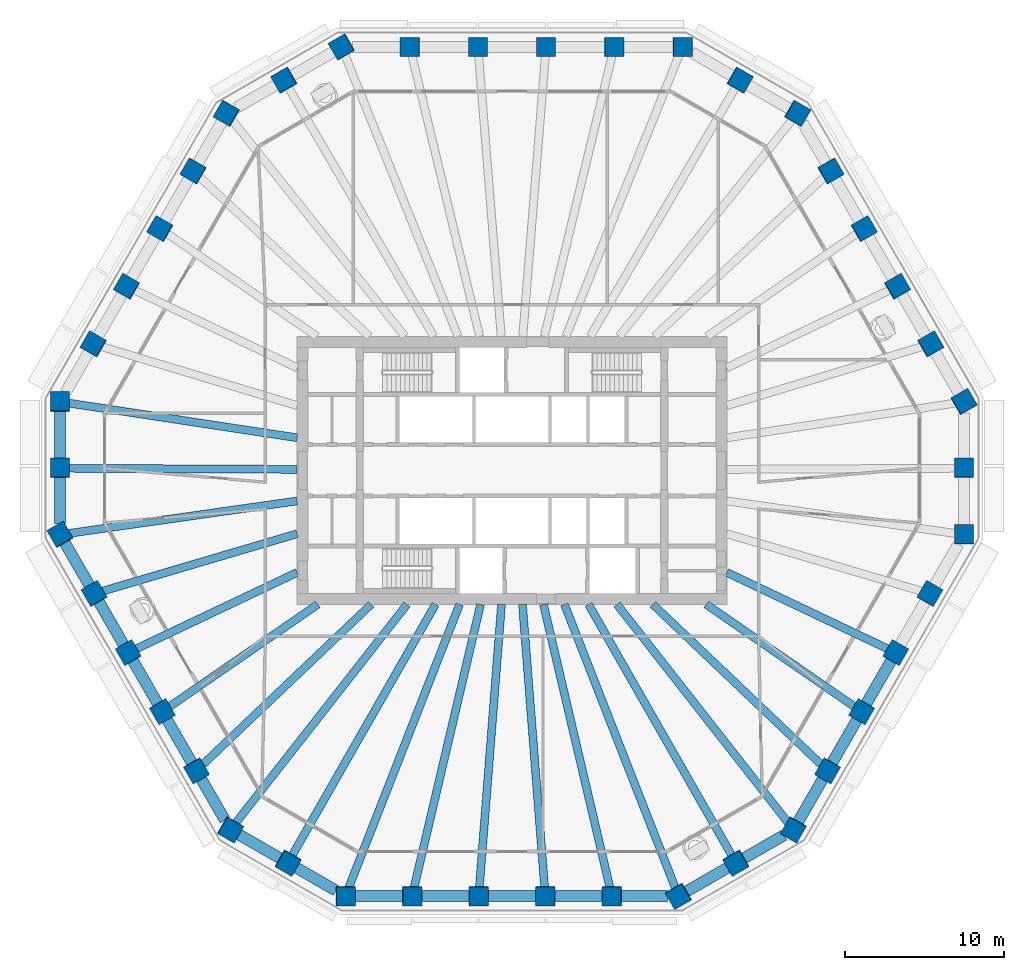
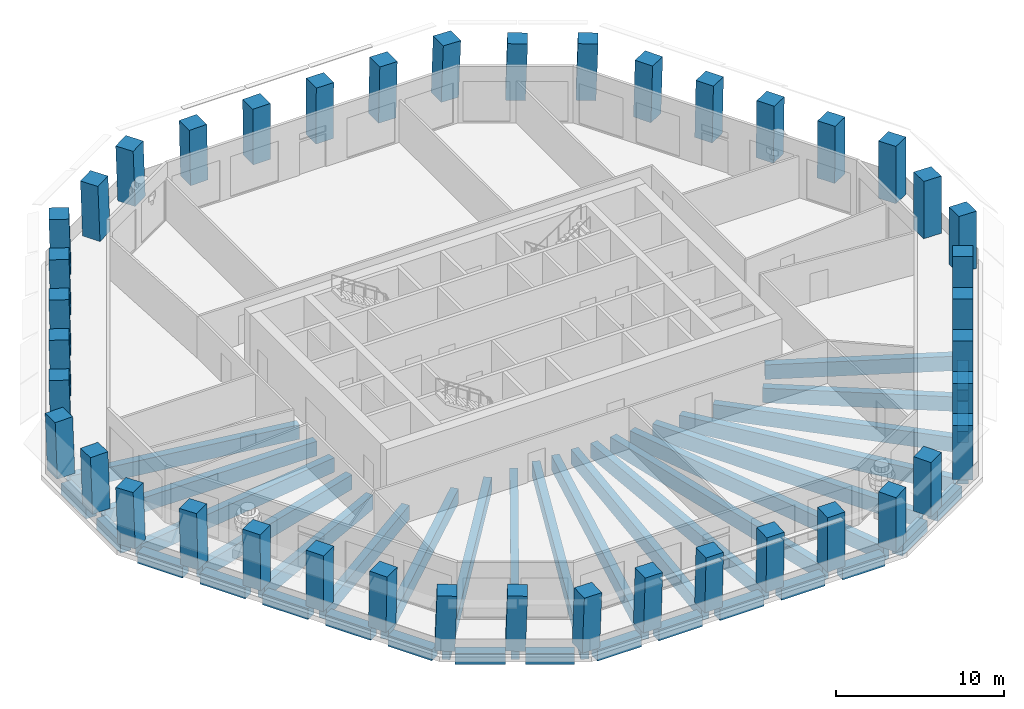
# One storey, part 1 of 12: 42 columns, 39 beams.
"""IFC4 building model written with IfcOpenShell, lengths in metres."""

import ifcopenshell
import ifcopenshell.guid

model = None  # the IFC model being written
_history = None  # IfcOwnerHistory: only IFC2X3 demands one
_inside = {}  # id of a spatial element -> (the spatial element, [elements in it])
_under = {}  # id of a project, library or spatial element -> (it, [spatial elements below it])
_declared = {}  # id of a project -> (the project, [libraries it declares])
_typed = {}  # id of a type object -> (the type object, [elements of that type])
_made_of = {}  # id of a material, layer set ... -> (it, [elements and type objects made of it])


def new_model(schema):
    """Start an empty IFC model of exactly this schema.

    Asked for "IFC4X3", IfcOpenShell would pick the latest addendum, in which some entities
    have other attributes; the version numbers below select the first issue.
    IFC2X3 requires an IfcOwnerHistory on every rooted entity: one is made here for all.
    """
    global model, _history
    if schema == "IFC4X3":
        model = ifcopenshell.file(schema_version=(4, 3, 0, 0))
    else:
        model = ifcopenshell.file(schema=schema)
    _inside.clear()
    _under.clear()
    _declared.clear()
    _typed.clear()
    _made_of.clear()
    _history = None
    if model.schema == "IFC2X3":
        org = make("IfcOrganization", Name="unknown")
        user = make(
            "IfcPersonAndOrganization",
            ThePerson=make("IfcPerson", FamilyName="unknown"),
            TheOrganization=org,
        )
        app = make(
            "IfcApplication",
            ApplicationDeveloper=org,
            Version="unknown",
            ApplicationFullName="unknown",
            ApplicationIdentifier="unknown",
        )
        _history = make(
            "IfcOwnerHistory",
            OwningUser=user,
            OwningApplication=app,
            ChangeAction="ADDED",
            CreationDate=0,
        )
    return model


def make(cls, **values):
    """One entity of the class cls with the attributes given. An attribute that is None is left unset."""
    return model.create_entity(
        cls, **{name: value for name, value in values.items() if value is not None}
    )


def rooted(cls, **values):
    """An entity with a GlobalId (a new one), such as an element, a storey or a relation."""
    return make(cls, GlobalId=ifcopenshell.guid.new(), OwnerHistory=_history, **values)


def si_unit(unit_type, name, prefix=None):
    """IfcSIUnit, for example si_unit("LENGTHUNIT", "METRE", prefix="MILLI")."""
    return make("IfcSIUnit", UnitType=unit_type, Prefix=prefix, Name=name)


def assignment(units):
    """IfcUnitAssignment: the units of a project."""
    return None if units is None else make("IfcUnitAssignment", Units=units)


def point(xyz):
    """IfcCartesianPoint."""
    return None if xyz is None else make("IfcCartesianPoint", Coordinates=xyz)


def direction(xyz):
    """IfcDirection."""
    return None if xyz is None else make("IfcDirection", DirectionRatios=xyz)


def frame(location, z_axis=None, x_axis=None):
    """IfcAxis2Placement3D, a coordinate frame: its origin and axes. An axis left out is left unset."""
    return make(
        "IfcAxis2Placement3D",
        Location=point(location),
        Axis=direction(z_axis),
        RefDirection=direction(x_axis),
    )


def frame_2d(location, x_axis=None):
    """IfcAxis2Placement2D, a coordinate frame in the plane: its origin and x axis."""
    return make(
        "IfcAxis2Placement2D", Location=point(location), RefDirection=direction(x_axis)
    )


def origin():
    """The frame at (0, 0, 0) with its axes left unset."""
    return frame((0.0, 0.0, 0.0))


def origin_2d():
    """The frame at (0, 0) in the plane with its x axis left unset."""
    return frame_2d((0.0, 0.0))


def place(relative_to, where):
    """IfcLocalPlacement: puts the frame where relative to a parent placement (None: the world)."""
    return make(
        "IfcLocalPlacement", PlacementRelTo=relative_to, RelativePlacement=where
    )


def context(
    kind, dimensions, precision=None, world=None, true_north=None, identifier=None
):
    """IfcGeometricRepresentationContext, for example the 3D "Model" context."""
    return make(
        "IfcGeometricRepresentationContext",
        ContextIdentifier=identifier,
        ContextType=kind,
        CoordinateSpaceDimension=dimensions,
        Precision=precision,
        WorldCoordinateSystem=world,
        TrueNorth=true_north,
    )


def subcontext(parent, identifier, kind, view, scale=None):
    """IfcGeometricRepresentationSubContext, for example "Body" below "Model"."""
    return make(
        "IfcGeometricRepresentationSubContext",
        ContextIdentifier=identifier,
        ContextType=kind,
        ParentContext=parent,
        TargetScale=scale,
        TargetView=view,
    )


def project(units=None, contexts=None):
    """IfcProject with its units and contexts."""
    return rooted(
        "IfcProject",
        Name="project",
        RepresentationContexts=contexts,
        UnitsInContext=assignment(units),
    )


def spatial(cls, under=None, at=None, **own):
    """A site, building, storey or space (cls), placed at a placement, below another one or the project."""
    s = rooted(cls, ObjectPlacement=at, **own)
    if under is not None:
        _under.setdefault(under.id(), (under, []))[1].append(s)
    return s


def profile(cls, at=None, kind="AREA", **sizes):
    """A parametric profile (cls). Its sizes go by their IFC names, for example OverallWidth=200.0."""
    return make(cls, ProfileType=kind, Position=at, **sizes)


def rectangle(**sizes):
    """IfcRectangleProfileDef."""
    return profile("IfcRectangleProfileDef", **sizes)


def extrude(swept, where, along, depth):
    """IfcExtrudedAreaSolid: the profile swept, set in the frame where, extruded along a direction by depth."""
    return make(
        "IfcExtrudedAreaSolid",
        SweptArea=swept,
        Position=where,
        ExtrudedDirection=direction(along),
        Depth=depth,
    )


def shape(context_of_items, identifier, shape_type, items):
    """IfcShapeRepresentation: the items that make up one representation, for example the "Body"."""
    return make(
        "IfcShapeRepresentation",
        ContextOfItems=context_of_items,
        RepresentationIdentifier=identifier,
        RepresentationType=shape_type,
        Items=items,
    )


def material(Name=None, Category=None):
    """IfcMaterial."""
    return make("IfcMaterial", Name=Name, Category=Category)


def material_profile(
    of_material, cross_section, Name=None, Category=None, Priority=None
):
    """IfcMaterialProfile: a cross section and its material."""
    return make(
        "IfcMaterialProfile",
        Name=Name,
        Material=of_material,
        Profile=cross_section,
        Priority=Priority,
        Category=Category,
    )


def profile_set(profiles, Name=None, composite=None):
    """IfcMaterialProfileSet."""
    return make(
        "IfcMaterialProfileSet",
        Name=Name,
        MaterialProfiles=profiles,
        CompositeProfile=composite,
    )


def made_of(thing, what):
    """Note that an element or type object is made of a material, layer set ...; save() writes the relation."""
    if what is not None:
        _made_of.setdefault(what.id(), (what, []))[1].append(thing)
    return thing


def type_object(cls, material=None, **own):
    """A type object (cls), such as IfcWallType, which elements share."""
    return made_of(rooted(cls, **own), material)


def element(
    cls,
    number,
    at=None,
    inside=None,
    cuts=None,
    type_object=None,
    material=None,
    context=None,
    identifier="Body",
    shape_type=None,
    held_by="IfcProductDefinitionShape",
    body=None,
    shapes=None,
    **own,
):
    """One element of the class cls, such as IfcWall. Its Tag is "e" and its number.

    at: its placement. inside: the storey or other place that contains it. cuts: it is an
    opening in that element (IfcRelVoidsElement). A single representation is given by context,
    identifier, shape_type and body (its items); several are given by shapes. held_by: the class
    of the entity that holds the representations. save() writes the other relations.
    """
    e = rooted(cls, Tag="e%d" % number, ObjectPlacement=at, **own)
    if body is not None:
        shapes = [shape(context, identifier, shape_type, body)]
    if shapes is not None:
        e.Representation = make(held_by, Representations=shapes)
    if inside is not None:
        _inside.setdefault(inside.id(), (inside, []))[1].append(e)
    if cuts is not None:
        rooted(
            "IfcRelVoidsElement", RelatingBuildingElement=cuts, RelatedOpeningElement=e
        )
    if type_object is not None:
        _typed.setdefault(type_object.id(), (type_object, []))[1].append(e)
    return made_of(e, material)


def aggregate(whole, parts):
    """IfcRelAggregates: a whole, such as a stair, and the parts it consists of."""
    return rooted("IfcRelAggregates", RelatingObject=whole, RelatedObjects=parts)


def save(model, path):
    """Write the relations noted so far, then the file.

    IfcRelAggregates (storeys below a building ...), IfcRelContainedInSpatialStructure (elements
    in a storey), IfcRelDefinesByType, IfcRelAssociatesMaterial and IfcRelDeclares: one each for
    every whole, place, type object, material and project.
    """
    for whole, parts in _under.values():
        aggregate(whole, parts)
    for where, things in _inside.values():
        rooted(
            "IfcRelContainedInSpatialStructure",
            RelatedElements=things,
            RelatingStructure=where,
        )
    for kind, things in _typed.values():
        rooted("IfcRelDefinesByType", RelatedObjects=things, RelatingType=kind)
    for what, things in _made_of.values():
        rooted("IfcRelAssociatesMaterial", RelatedObjects=things, RelatingMaterial=what)
    for by, libraries in _declared.values():
        rooted("IfcRelDeclares", RelatingContext=by, RelatedDefinitions=libraries)
    model.write(path)


model = new_model("IFC4")

# Units and contexts
model_context = context("Model", 3, precision=1e-05, world=origin(), true_north=direction((0.0, 1.0)))
body_context = subcontext(model_context, "Body", "Model", "MODEL_VIEW")
ifc_project = project(units=[si_unit("LENGTHUNIT", "METRE"), si_unit("AREAUNIT", "SQUARE_METRE"), si_unit("VOLUMEUNIT", "CUBIC_METRE"), si_unit("PLANEANGLEUNIT", "RADIAN"), si_unit("MASSUNIT", "GRAM", prefix="KILO")], contexts=[model_context])

# Site, building, storey
site_placement = place(None, origin())
site = spatial("IfcSite", under=ifc_project, at=site_placement, CompositionType="ELEMENT")
building_placement = place(site_placement, origin())
building = spatial("IfcBuilding", under=site, at=building_placement, Name="Frailejon Research Tower", CompositionType="ELEMENT")
storey_placement = place(building_placement, frame((0.0, 0.0, 149.60009765625)))
storey = spatial("IfcBuildingStorey", under=building, at=storey_placement, Name="L32", CompositionType="ELEMENT", Elevation=149.60009765625)

# Columns
ifc_material_1 = material(Name="Concrete C60/75", Category="concrete")
ifc_material_profile_1 = material_profile(ifc_material_1, rectangle(XDim=1.199951171875, YDim=1.199951171875, at=origin_2d()), Name="Column 1200")
ifc_profile_set_1 = profile_set([ifc_material_profile_1], Name="Concrete C60/75")
column_type = type_object("IfcColumnType", Name="Column 1200", PredefinedType="COLUMN", material=ifc_profile_set_1)
for number, where, z_axis, x_axis, name in (
    (1, (28.49267578125, -4.04931640625, 0.0), (0.018133721723, 0.031387604711, 0.999342777233), (-0.000565018224, 0.999507287743, -0.031382519076), "Column C01"),
    (2, (28.49267578125, 0.13818359375, 0.0), (0.018133687401, 0.03144779011, 0.999340885723), (-0.001395627248, 0.999505055609, -0.031427631735), "Column C02"),
    (3, (28.49267578125, 4.32568359375, 0.0), (0.018133687401, 0.03144779011, 0.999340885723), (-0.501125947213, 0.865184365108, -0.01813282665), "Column C03"),
):
    element("IfcColumn", number, at=place(storey_placement, frame(where, z_axis=z_axis, x_axis=x_axis)), inside=storey, type_object=column_type, Name=name, PredefinedType="COLUMN", context=body_context, shape_type="SweptSolid", body=[
        extrude(rectangle(XDim=1.199951171875, YDim=1.199951171875, at=origin_2d()), origin(), (0.0, 0.0, 1.0), 4.052490234375),
    ])
column_1_placement = place(storey_placement, frame((26.392578125, 7.963134765625, 0.0), z_axis=(0.021750699922, 0.025124769716, 0.999447673968), x_axis=(-0.500502376835, 0.865666925982, -0.010869408614)))
element("IfcColumn", 4, at=column_1_placement, inside=storey, type_object=column_type, Name="Column C04", PredefinedType="COLUMN", context=body_context, shape_type="SweptSolid", body=[
    extrude(rectangle(XDim=1.199951171875, YDim=1.199951171875, at=origin_2d()), origin(), (0.0, 0.0, 1.0), 4.052001953125),
])
for number, where, z_axis, x_axis, name in (
    (5, (24.29248046875, 11.6005859375, 0.0), (0.025427354368, 0.018799371002, 0.999499891596), (-0.498882632213, 0.866662040623, -0.003609240769), "Column C05"),
    (6, (22.192626953125, 15.23779296875, 0.0), (0.029042587602, 0.012593155205, 0.999498844695), (-0.500555199486, 0.8656969803, 0.003637384692), "Column C06"),
):
    element("IfcColumn", number, at=place(storey_placement, frame(where, z_axis=z_axis, x_axis=x_axis)), inside=storey, type_object=column_type, Name=name, PredefinedType="COLUMN", context=body_context, shape_type="SweptSolid", body=[
        extrude(rectangle(XDim=1.199951171875, YDim=1.199951171875, at=origin_2d()), origin(), (0.0, 0.0, 1.0), 4.0517578125),
    ])
column_2_placement = place(storey_placement, frame((20.092529296875, 18.875, 0.0), z_axis=(0.032656141186, 0.006326374215, 0.999446623603), x_axis=(-0.500478610306, 0.865680620308, 0.01087309752)))
element("IfcColumn", 7, at=column_2_placement, inside=storey, type_object=column_type, Name="Column C07", PredefinedType="COLUMN", context=body_context, shape_type="SweptSolid", body=[
    extrude(rectangle(XDim=1.199951171875, YDim=1.199951171875, at=origin_2d()), origin(), (0.0, 0.0, 1.0), 4.052001953125),
])
for number, where, z_axis, x_axis, name in (
    (8, (17.99267578125, 22.512451171875, 0.0), (0.036267419622, 0.0, 0.999342120734), (-0.865313477853, 0.500246354177, 0.031403346616), "Column C08"),
    (9, (14.3662109375, 24.606201171875, 0.0), (0.036207253783, 0.0, 0.999344302417), (-0.865315366935, 0.500246354177, 0.031351250032), "Column C09"),
    (10, (10.739501953125, 26.699951171875, 0.0), (0.036267419622, 0.0, 0.999342120734), (-0.999342120734, 0.0, 0.036267419622), "Column C10"),
):
    element("IfcColumn", number, at=place(storey_placement, frame(where, z_axis=z_axis, x_axis=x_axis)), inside=storey, type_object=column_type, Name=name, PredefinedType="COLUMN", context=body_context, shape_type="SweptSolid", body=[
        extrude(rectangle(XDim=1.199951171875, YDim=1.199951171875, at=origin_2d()), origin(), (0.0, 0.0, 1.0), 4.052490234375),
    ])
column_3_placement = place(storey_placement, frame((6.443603515625, 26.699951171875, 0.0), z_axis=(0.021817809905, 0.0, 0.999761963255), x_axis=(-0.999761963255, 0.0, 0.021817809905)))
element("IfcColumn", 11, at=column_3_placement, inside=storey, type_object=column_type, Name="Column C11", PredefinedType="COLUMN", context=body_context, shape_type="SweptSolid", body=[
    extrude(rectangle(XDim=1.199951171875, YDim=1.199951171875, at=origin_2d()), origin(), (0.0, 0.0, 1.0), 4.05078125),
])
for number, where, z_axis, x_axis, name in (
    (12, (2.14794921875, 26.699951171875, 0.0), (0.007233955881, 0.0, 0.999973834599), (-0.999973834599, 0.0, 0.007233955881), "Column C12"),
    (13, (-2.14794921875, 26.699951171875, 0.0), (-0.007233955881, 0.0, 0.999973834599), (-0.999973834599, 0.0, -0.007233955881), "Column C13"),
):
    element("IfcColumn", number, at=place(storey_placement, frame(where, z_axis=z_axis, x_axis=x_axis)), inside=storey, type_object=column_type, Name=name, PredefinedType="COLUMN", context=body_context, shape_type="SweptSolid", body=[
        extrude(rectangle(XDim=1.199951171875, YDim=1.199951171875, at=origin_2d()), origin(), (0.0, 0.0, 1.0), 4.0498046875),
    ])
column_4_placement = place(storey_placement, frame((-6.443603515625, 26.699951171875, 0.0), z_axis=(-0.021817809905, 0.0, 0.999761963255), x_axis=(-0.999761963255, 0.0, -0.021817809905)))
element("IfcColumn", 14, at=column_4_placement, inside=storey, type_object=column_type, Name="Column C14", PredefinedType="COLUMN", context=body_context, shape_type="SweptSolid", body=[
    extrude(rectangle(XDim=1.199951171875, YDim=1.199951171875, at=origin_2d()), origin(), (0.0, 0.0, 1.0), 4.05078125),
])
for number, where, z_axis, x_axis, name in (
    (15, (-10.739501953125, 26.699951171875, 0.0), (-0.036267419622, 0.0, 0.999342120734), (-0.865313477853, -0.500246354177, -0.031403346616), "Column C15"),
    (16, (-14.3662109375, 24.606201171875, 0.0), (-0.036207253783, 0.0, 0.999344302417), (-0.865315366935, -0.500246354177, -0.031351250032), "Column C16"),
    (17, (-17.99267578125, 22.512451171875, 0.0), (-0.036267419622, 0.0, 0.999342120734), (-0.499424827821, -0.866167613071, -0.018124773713), "Column C17"),
):
    element("IfcColumn", number, at=place(storey_placement, frame(where, z_axis=z_axis, x_axis=x_axis)), inside=storey, type_object=column_type, Name=name, PredefinedType="COLUMN", context=body_context, shape_type="SweptSolid", body=[
        extrude(rectangle(XDim=1.199951171875, YDim=1.199951171875, at=origin_2d()), origin(), (0.0, 0.0, 1.0), 4.052490234375),
    ])
column_5_placement = place(storey_placement, frame((-20.092529296875, 18.875, 0.0), z_axis=(-0.032656141186, 0.006326374215, 0.999446623603), x_axis=(-0.500478610306, -0.865680620308, -0.01087309752)))
element("IfcColumn", 18, at=column_5_placement, inside=storey, type_object=column_type, Name="Column C18", PredefinedType="COLUMN", context=body_context, shape_type="SweptSolid", body=[
    extrude(rectangle(XDim=1.199951171875, YDim=1.199951171875, at=origin_2d()), origin(), (0.0, 0.0, 1.0), 4.052001953125),
])
for number, where, z_axis, x_axis, name in (
    (19, (-22.192626953125, 15.23779296875, 0.0), (-0.029042587602, 0.012593155205, 0.999498844695), (-0.500555199486, -0.8656969803, -0.003637384692), "Column C19"),
    (20, (-24.29248046875, 11.6005859375, 0.0), (-0.025427354368, 0.018799371002, 0.999499891596), (-0.498882632213, -0.866662040623, 0.003609240769), "Column C20"),
):
    element("IfcColumn", number, at=place(storey_placement, frame(where, z_axis=z_axis, x_axis=x_axis)), inside=storey, type_object=column_type, Name=name, PredefinedType="COLUMN", context=body_context, shape_type="SweptSolid", body=[
        extrude(rectangle(XDim=1.199951171875, YDim=1.199951171875, at=origin_2d()), origin(), (0.0, 0.0, 1.0), 4.0517578125),
    ])
column_6_placement = place(storey_placement, frame((-26.392578125, 7.963134765625, 0.0), z_axis=(-0.021750699922, 0.025124769716, 0.999447673968), x_axis=(-0.500502376835, -0.865666925982, 0.010869408614)))
element("IfcColumn", 21, at=column_6_placement, inside=storey, type_object=column_type, Name="Column C21", PredefinedType="COLUMN", context=body_context, shape_type="SweptSolid", body=[
    extrude(rectangle(XDim=1.199951171875, YDim=1.199951171875, at=origin_2d()), origin(), (0.0, 0.0, 1.0), 4.052001953125),
])
for number, where, z_axis, x_axis, name in (
    (22, (-28.49267578125, 4.32568359375, 0.0), (-0.018133687401, 0.03144779011, 0.999340885723), (-0.001395627248, -0.999505055609, 0.031427631735), "Column C22"),
    (23, (-28.49267578125, 0.13818359375, 0.0), (-0.018133687401, 0.03144779011, 0.999340885723), (-0.001395627248, -0.999505055609, 0.031427631735), "Column C23"),
    (24, (-28.49267578125, -4.04931640625, 0.0), (-0.018133721723, 0.031387604711, 0.999342777233), (0.499674779335, -0.865454274592, 0.036249323948), "Column C24"),
):
    element("IfcColumn", number, at=place(storey_placement, frame(where, z_axis=z_axis, x_axis=x_axis)), inside=storey, type_object=column_type, Name=name, PredefinedType="COLUMN", context=body_context, shape_type="SweptSolid", body=[
        extrude(rectangle(XDim=1.199951171875, YDim=1.199951171875, at=origin_2d()), origin(), (0.0, 0.0, 1.0), 4.052490234375),
    ])
column_7_placement = place(storey_placement, frame((-26.3447265625, -7.76953125, 0.0), z_axis=(-0.010908911174, 0.018864581201, 0.999762533421), x_axis=(0.500638363085, -0.865382200335, 0.021791667014)))
element("IfcColumn", 25, at=column_7_placement, inside=storey, type_object=column_type, Name="Column C25", PredefinedType="COLUMN", context=body_context, shape_type="SweptSolid", body=[
    extrude(rectangle(XDim=1.199951171875, YDim=1.199951171875, at=origin_2d()), origin(), (0.0, 0.0, 1.0), 4.05078125),
])
for number, where, z_axis, x_axis, name in (
    (26, (-24.19677734375, -11.489990234375, 0.0), (-0.003616976462, 0.006329708808, 0.999973425781), (0.495951476292, -0.868319633219, 0.007290248979), "Column C26"),
    (27, (-22.048828125, -15.210205078125, 0.0), (0.003616977835, -0.006269428248, 0.999973805527), (0.50188323525, -0.864905098983, -0.007237950591), "Column C27"),
):
    element("IfcColumn", number, at=place(storey_placement, frame(where, z_axis=z_axis, x_axis=x_axis)), inside=storey, type_object=column_type, Name=name, PredefinedType="COLUMN", context=body_context, shape_type="SweptSolid", body=[
        extrude(rectangle(XDim=1.199951171875, YDim=1.199951171875, at=origin_2d()), origin(), (0.0, 0.0, 1.0), 4.0498046875),
    ])
column_8_placement = place(storey_placement, frame((-19.90087890625, -18.930419921875, 0.0), z_axis=(0.010848648059, -0.01886459357, 0.999763188933), x_axis=(0.498562444949, -0.866580592009, -0.021761572546)))
element("IfcColumn", 28, at=column_8_placement, inside=storey, type_object=column_type, Name="Column C28", PredefinedType="COLUMN", context=body_context, shape_type="SweptSolid", body=[
    extrude(rectangle(XDim=1.199951171875, YDim=1.199951171875, at=origin_2d()), origin(), (0.0, 0.0, 1.0), 4.05078125),
])
for number, where, z_axis, x_axis, name in (
    (29, (-17.753173828125, -22.650634765625, 0.0), (0.018133687401, -0.03144779011, 0.999340885723), (0.865740951417, -0.499504633719, -0.031428107377), "Column C29"),
    (30, (-14.126708984375, -24.744384765625, 0.0), (0.0181939123, -0.031447755698, 0.999339792171), (0.866186176225, -0.498729910152, -0.031464024495), "Column C30"),
    (31, (-10.5, -26.83837890625, 0.0), (0.018133721723, -0.031387604711, 0.999342777233), (0.999835421154, 0.001115661703, -0.018107620088), "Column C31"),
):
    element("IfcColumn", number, at=place(storey_placement, frame(where, z_axis=z_axis, x_axis=x_axis)), inside=storey, type_object=column_type, Name=name, PredefinedType="COLUMN", context=body_context, shape_type="SweptSolid", body=[
        extrude(rectangle(XDim=1.199951171875, YDim=1.199951171875, at=origin_2d()), origin(), (0.0, 0.0, 1.0), 4.052490234375),
    ])
column_9_placement = place(storey_placement, frame((-6.300048828125, -26.83837890625, 0.0), z_axis=(0.010905475742, -0.031390899789, 0.999447688481), x_axis=(0.999940086659, 0.001287295827, -0.010870416841)))
element("IfcColumn", 32, at=column_9_placement, inside=storey, type_object=column_type, Name="Column C32", PredefinedType="COLUMN", context=body_context, shape_type="SweptSolid", body=[
    extrude(rectangle(XDim=1.199951171875, YDim=1.199951171875, at=origin_2d()), origin(), (0.0, 0.0, 1.0), 4.052001953125),
])
for number, where, z_axis, x_axis, name in (
    (33, (-2.10009765625, -26.83837890625, 0.0), (0.003675519823, -0.031392554556, 0.999500374223), (0.999992303704, 0.001486973338, -0.003630625598), "Column C33"),
    (34, (2.10009765625, -26.83837890625, 0.0), (-0.003675519823, -0.031392554556, 0.999500374223), (0.999992303704, -0.001486973338, 0.003630625598), "Column C34"),
):
    element("IfcColumn", number, at=place(storey_placement, frame(where, z_axis=z_axis, x_axis=x_axis)), inside=storey, type_object=column_type, Name=name, PredefinedType="COLUMN", context=body_context, shape_type="SweptSolid", body=[
        extrude(rectangle(XDim=1.199951171875, YDim=1.199951171875, at=origin_2d()), origin(), (0.0, 0.0, 1.0), 4.0517578125),
    ])
column_10_placement = place(storey_placement, frame((6.300048828125, -26.83837890625, 0.0), z_axis=(-0.010905475742, -0.031390899789, 0.999447688481), x_axis=(0.999940086659, -0.001287295827, 0.010870416841)))
element("IfcColumn", 35, at=column_10_placement, inside=storey, type_object=column_type, Name="Column C35", PredefinedType="COLUMN", context=body_context, shape_type="SweptSolid", body=[
    extrude(rectangle(XDim=1.199951171875, YDim=1.199951171875, at=origin_2d()), origin(), (0.0, 0.0, 1.0), 4.052001953125),
])
for number, where, z_axis, x_axis, name in (
    (36, (10.5, -26.83837890625, 0.0), (-0.018133721723, -0.031387604711, 0.999342777233), (0.866156161144, 0.49878714117, 0.031382994035), "Column C36"),
    (37, (14.126708984375, -24.744384765625, 0.0), (-0.0181939123, -0.031447755698, 0.999339792171), (0.866186176225, 0.498729910152, 0.031464024495), "Column C37"),
    (38, (17.753173828125, -22.650634765625, 0.0), (-0.018133687401, -0.03144779011, 0.999340885723), (0.499425388708, 0.865596029959, 0.036301432942), "Column C38"),
):
    element("IfcColumn", number, at=place(storey_placement, frame(where, z_axis=z_axis, x_axis=x_axis)), inside=storey, type_object=column_type, Name=name, PredefinedType="COLUMN", context=body_context, shape_type="SweptSolid", body=[
        extrude(rectangle(XDim=1.199951171875, YDim=1.199951171875, at=origin_2d()), origin(), (0.0, 0.0, 1.0), 4.052490234375),
    ])
column_11_placement = place(storey_placement, frame((19.90087890625, -18.930419921875, 0.0), z_axis=(-0.010848648059, -0.01886459357, 0.999763188933), x_axis=(0.498562444949, 0.866580592009, 0.021761572546)))
element("IfcColumn", 39, at=column_11_placement, inside=storey, type_object=column_type, Name="Column C39", PredefinedType="COLUMN", context=body_context, shape_type="SweptSolid", body=[
    extrude(rectangle(XDim=1.199951171875, YDim=1.199951171875, at=origin_2d()), origin(), (0.0, 0.0, 1.0), 4.05078125),
])
for number, where, z_axis, x_axis, name in (
    (40, (22.048828125, -15.210205078125, 0.0), (-0.003616977835, -0.006269428248, 0.999973805527), (0.50188323525, 0.864905098983, 0.007237950591), "Column C40"),
    (41, (24.19677734375, -11.489990234375, 0.0), (0.003616976462, 0.006329708808, 0.999973425781), (0.495951476292, 0.868319633219, -0.007290248979), "Column C41"),
):
    element("IfcColumn", number, at=place(storey_placement, frame(where, z_axis=z_axis, x_axis=x_axis)), inside=storey, type_object=column_type, Name=name, PredefinedType="COLUMN", context=body_context, shape_type="SweptSolid", body=[
        extrude(rectangle(XDim=1.199951171875, YDim=1.199951171875, at=origin_2d()), origin(), (0.0, 0.0, 1.0), 4.0498046875),
    ])
column_12_placement = place(storey_placement, frame((26.3447265625, -7.76953125, 0.0), z_axis=(0.010908911174, 0.018864581201, 0.999762533421), x_axis=(0.500638363085, 0.865382200335, -0.021791667014)))
element("IfcColumn", 42, at=column_12_placement, inside=storey, type_object=column_type, Name="Column C42", PredefinedType="COLUMN", context=body_context, shape_type="SweptSolid", body=[
    extrude(rectangle(XDim=1.199951171875, YDim=1.199951171875, at=origin_2d()), origin(), (0.0, 0.0, 1.0), 4.05078125),
])

# Beams
ifc_material_2 = material(Name="Concrete C60/75", Category="concrete")
ifc_material_profile_2 = material_profile(ifc_material_2, rectangle(XDim=0.5, YDim=1.050048828125, at=origin_2d()), Name="Girder 500x1050")
ifc_profile_set_2 = profile_set([ifc_material_profile_2], Name="Concrete C60/75")
beam_type_1 = type_object("IfcBeamType", Name="Girder 500x1050", PredefinedType="BEAM", material=ifc_profile_set_2)
beam_1_placement = place(storey_placement, frame((-28.041015625, 4.257080078125, -0.8251953125), z_axis=(0.98867150174, -0.150095508418, 0.0), x_axis=(0.150095508418, 0.98867150174, 0.0)))
element("IfcBeam", 43, at=beam_1_placement, inside=storey, type_object=beam_type_1, Name="Girder 500x1050", PredefinedType="BEAM", context=body_context, shape_type="SweptSolid", body=[
    extrude(rectangle(XDim=0.5, YDim=1.050048828125, at=origin_2d()), origin(), (0.0, 0.0, 1.0), 14.656982421875),
])
beam_2_placement = place(storey_placement, frame((-28.04248046875, 0.135986328125, -0.8251953125), z_axis=(0.999988312442, -0.004834767704, 0.0), x_axis=(0.004834767704, 0.999988312442, 0.0)))
element("IfcBeam", 44, at=beam_2_placement, inside=storey, type_object=beam_type_1, Name="Girder 500x1050", PredefinedType="BEAM", context=body_context, shape_type="SweptSolid", body=[
    extrude(rectangle(XDim=0.5, YDim=1.050048828125, at=origin_2d()), origin(), (0.0, 0.0, 1.0), 14.49267578125),
])
beam_3_placement = place(storey_placement, frame((-28.000732421875, -3.9794921875, -0.8251953125), z_axis=(0.990051601539, 0.140704748642, 0.0), x_axis=(-0.140704748642, 0.990051601539, 0.0)))
element("IfcBeam", 45, at=beam_3_placement, inside=storey, type_object=beam_type_1, Name="Girder 500x1050", PredefinedType="BEAM", context=body_context, shape_type="SweptSolid", body=[
    extrude(rectangle(XDim=0.5, YDim=1.050048828125, at=origin_2d()), origin(), (0.0, 0.0, 1.0), 14.595947265625),
])
beam_4_placement = place(storey_placement, frame((-25.896484375, -7.637451171875, -0.8251953125), z_axis=(0.959153822497, 0.282885038116, 0.0), x_axis=(-0.282885038116, 0.959153822497, 0.0)))
element("IfcBeam", 46, at=beam_4_placement, inside=storey, type_object=beam_type_1, Name="Girder 500x1050", PredefinedType="BEAM", context=body_context, shape_type="SweptSolid", body=[
    extrude(rectangle(XDim=0.5, YDim=1.050048828125, at=origin_2d()), origin(), (0.0, 0.0, 1.0), 12.872314453125),
])
beam_5_placement = place(storey_placement, frame((-23.78857421875, -11.2958984375, -0.8251953125), z_axis=(0.903328212351, 0.428950044609, 0.0), x_axis=(-0.428950044609, 0.903328212351, 0.0)))
element("IfcBeam", 47, at=beam_5_placement, inside=storey, type_object=beam_type_1, Name="Girder 500x1050", PredefinedType="BEAM", context=body_context, shape_type="SweptSolid", body=[
    extrude(rectangle(XDim=0.5, YDim=1.050048828125, at=origin_2d()), origin(), (0.0, 0.0, 1.0), 11.334228515625),
])
beam_6_placement = place(storey_placement, frame((-21.677001953125, -14.95361328125, -0.8251953125), z_axis=(0.823140294356, 0.567838054209, 0.0), x_axis=(-0.567838054209, 0.823140294356, 0.0)))
element("IfcBeam", 48, at=beam_6_placement, inside=storey, type_object=beam_type_1, Name="Girder 500x1050", PredefinedType="BEAM", context=body_context, shape_type="SweptSolid", body=[
    extrude(rectangle(XDim=0.5, YDim=1.050048828125, at=origin_2d()), origin(), (0.0, 0.0, 1.0), 11.453369140625),
])
beam_7_placement = place(storey_placement, frame((-19.5625, -18.6083984375, -0.8251953125), z_axis=(0.724551807402, 0.689220340958, 0.0), x_axis=(-0.689220340958, 0.724551807402, 0.0)))
element("IfcBeam", 49, at=beam_7_placement, inside=storey, type_object=beam_type_1, Name="Girder 500x1050", PredefinedType="BEAM", context=body_context, shape_type="SweptSolid", body=[
    extrude(rectangle(XDim=0.5, YDim=1.050048828125, at=origin_2d()), origin(), (0.0, 0.0, 1.0), 14.739013671875),
])
beam_8_placement = place(storey_placement, frame((-17.4716796875, -22.291748046875, -0.8251953125), z_axis=(0.616878176996, 0.78705864759, 0.0), x_axis=(-0.78705864759, 0.616878176996, 0.0)))
element("IfcBeam", 50, at=beam_8_placement, inside=storey, type_object=beam_type_1, Name="Girder 500x1050", PredefinedType="BEAM", context=body_context, shape_type="SweptSolid", body=[
    extrude(rectangle(XDim=0.5, YDim=1.050048828125, at=origin_2d()), origin(), (0.0, 0.0, 1.0), 17.586669921875),
])
beam_9_placement = place(storey_placement, frame((-13.903564453125, -24.353759765625, -0.8251953125), z_axis=(0.495787149726, 0.868444069683, 0.0), x_axis=(-0.868444069683, 0.495787149726, 0.0)))
element("IfcBeam", 51, at=beam_9_placement, inside=storey, type_object=beam_type_1, Name="Girder 500x1050", PredefinedType="BEAM", context=body_context, shape_type="SweptSolid", body=[
    extrude(rectangle(XDim=0.5, YDim=1.050048828125, at=origin_2d()), origin(), (0.0, 0.0, 1.0), 18.31298828125),
])
beam_10_placement = place(storey_placement, frame((-10.31982421875, -26.3779296875, -0.8251953125), z_axis=(0.36433718586, 0.931267101856, 0.0), x_axis=(-0.931267101856, 0.36433718586, 0.0)))
element("IfcBeam", 52, at=beam_10_placement, inside=storey, type_object=beam_type_1, Name="Girder 500x1050", PredefinedType="BEAM", context=body_context, shape_type="SweptSolid", body=[
    extrude(rectangle(XDim=0.5, YDim=1.050048828125, at=origin_2d()), origin(), (0.0, 0.0, 1.0), 19.251220703125),
])
beam_11_placement = place(storey_placement, frame((-6.193359375, -26.38427734375, -0.8251953125), z_axis=(0.228531090647, 0.973536614929, 0.0), x_axis=(-0.973536614929, 0.228531090647, 0.0)))
element("IfcBeam", 53, at=beam_11_placement, inside=storey, type_object=beam_type_1, Name="Girder 500x1050", PredefinedType="BEAM", context=body_context, shape_type="SweptSolid", body=[
    extrude(rectangle(XDim=0.5, YDim=1.050048828125, at=origin_2d()), origin(), (0.0, 0.0, 1.0), 18.421875),
])
for number, where, z_axis, x_axis, name in (
    (54, (-2.064697265625, -26.3876953125, -0.8251953125), (0.078007992943, 0.996952733602, 0.0), (-0.996952733602, 0.078007992943, 0.0), "Girder 500x1050"),
    (55, (2.064697265625, -26.3876953125, -0.8251953125), (-0.078007992943, 0.996952733602, 0.0), (-0.996952733602, -0.078007992943, 0.0), "Girder 500x1050"),
):
    element("IfcBeam", number, at=place(storey_placement, frame(where, z_axis=z_axis, x_axis=x_axis)), inside=storey, type_object=beam_type_1, Name=name, PredefinedType="BEAM", context=body_context, shape_type="SweptSolid", body=[
        extrude(rectangle(XDim=0.5, YDim=1.050048828125, at=origin_2d()), origin(), (0.0, 0.0, 1.0), 17.99267578125),
    ])
beam_12_placement = place(storey_placement, frame((6.193359375, -26.38427734375, -0.8251953125), z_axis=(-0.228531090647, 0.973536614929, 0.0), x_axis=(-0.973536614929, -0.228531090647, 0.0)))
element("IfcBeam", 56, at=beam_12_placement, inside=storey, type_object=beam_type_1, Name="Girder 500x1050", PredefinedType="BEAM", context=body_context, shape_type="SweptSolid", body=[
    extrude(rectangle(XDim=0.5, YDim=1.050048828125, at=origin_2d()), origin(), (0.0, 0.0, 1.0), 18.421875),
])
beam_13_placement = place(storey_placement, frame((10.33349609375, -26.412841796875, -0.8251953125), z_axis=(-0.364337783946, 0.931266867868, 0.0), x_axis=(-0.931266867868, -0.364337783946, 0.0)))
element("IfcBeam", 57, at=beam_13_placement, inside=storey, type_object=beam_type_1, Name="Girder 500x1050", PredefinedType="BEAM", context=body_context, shape_type="SweptSolid", body=[
    extrude(rectangle(XDim=0.5, YDim=1.050048828125, at=origin_2d()), origin(), (0.0, 0.0, 1.0), 19.28857421875),
])
beam_14_placement = place(storey_placement, frame((13.903564453125, -24.353759765625, -0.8251953125), z_axis=(-0.495787149726, 0.868444069683, 0.0), x_axis=(-0.868444069683, -0.495787149726, 0.0)))
element("IfcBeam", 58, at=beam_14_placement, inside=storey, type_object=beam_type_1, Name="Girder 500x1050", PredefinedType="BEAM", context=body_context, shape_type="SweptSolid", body=[
    extrude(rectangle(XDim=0.5, YDim=1.050048828125, at=origin_2d()), origin(), (0.0, 0.0, 1.0), 18.31298828125),
])
beam_15_placement = place(storey_placement, frame((17.44677734375, -22.259765625, -0.8251953125), z_axis=(-0.616883992743, 0.787054089309, 0.0), x_axis=(-0.787054089309, -0.616883992743, 0.0)))
element("IfcBeam", 59, at=beam_15_placement, inside=storey, type_object=beam_type_1, Name="Girder 500x1050", PredefinedType="BEAM", context=body_context, shape_type="SweptSolid", body=[
    extrude(rectangle(XDim=0.5, YDim=1.050048828125, at=origin_2d()), origin(), (0.0, 0.0, 1.0), 17.546142578125),
])
beam_16_placement = place(storey_placement, frame((19.5625, -18.6083984375, -0.8251953125), z_axis=(-0.724551807402, 0.689220340958, 0.0), x_axis=(-0.689220340958, -0.724551807402, 0.0)))
element("IfcBeam", 60, at=beam_16_placement, inside=storey, type_object=beam_type_1, Name="Girder 500x1050", PredefinedType="BEAM", context=body_context, shape_type="SweptSolid", body=[
    extrude(rectangle(XDim=0.5, YDim=1.050048828125, at=origin_2d()), origin(), (0.0, 0.0, 1.0), 14.739013671875),
])
beam_17_placement = place(storey_placement, frame((21.677001953125, -14.95361328125, -0.8251953125), z_axis=(-0.823140294356, 0.567838054209, 0.0), x_axis=(-0.567838054209, -0.823140294356, 0.0)))
element("IfcBeam", 61, at=beam_17_placement, inside=storey, type_object=beam_type_1, Name="Girder 500x1050", PredefinedType="BEAM", context=body_context, shape_type="SweptSolid", body=[
    extrude(rectangle(XDim=0.5, YDim=1.050048828125, at=origin_2d()), origin(), (0.0, 0.0, 1.0), 11.453369140625),
])
beam_18_placement = place(storey_placement, frame((23.78857421875, -11.2958984375, -0.8251953125), z_axis=(-0.903328212351, 0.428950044609, 0.0), x_axis=(-0.428950044609, -0.903328212351, 0.0)))
element("IfcBeam", 62, at=beam_18_placement, inside=storey, type_object=beam_type_1, Name="Girder 500x1050", PredefinedType="BEAM", context=body_context, shape_type="SweptSolid", body=[
    extrude(rectangle(XDim=0.5, YDim=1.050048828125, at=origin_2d()), origin(), (0.0, 0.0, 1.0), 11.334228515625),
])
ifc_material_3 = material(Name="Concrete C60/75", Category="concrete")
ifc_material_profile_3 = material_profile(ifc_material_3, rectangle(XDim=0.699951171875, YDim=0.800048828125, at=origin_2d()), Name="Spandrel 700x800")
ifc_profile_set_3 = profile_set([ifc_material_profile_3], Name="Concrete C60/75")
beam_type_2 = type_object("IfcBeamType", Name="Spandrel 700x800", PredefinedType="BEAM", material=ifc_profile_set_3)
beam_19_placement = place(storey_placement, frame((-28.49267578125, 3.725830078125, -0.75), z_axis=(0.0, -1.0, 0.0), x_axis=(1.0, 0.0, 0.0)))
element("IfcBeam", 63, at=beam_19_placement, inside=storey, type_object=beam_type_2, Name="Spandrel 700x800", PredefinedType="BEAM", context=body_context, shape_type="SweptSolid", body=[
    extrude(rectangle(XDim=0.699951171875, YDim=0.800048828125, at=origin_2d()), origin(), (0.0, 0.0, 1.0), 2.987548828125),
])
beam_20_placement = place(storey_placement, frame((-28.49267578125, -0.461669921875, -0.75), z_axis=(0.0, -1.0, 0.0), x_axis=(1.0, 0.0, 0.0)))
element("IfcBeam", 64, at=beam_20_placement, inside=storey, type_object=beam_type_2, Name="Spandrel 700x800", PredefinedType="BEAM", context=body_context, shape_type="SweptSolid", body=[
    extrude(rectangle(XDim=0.699951171875, YDim=0.800048828125, at=origin_2d()), origin(), (0.0, 0.0, 1.0), 2.894775390625),
])
beam_21_placement = place(storey_placement, frame((-28.192626953125, -4.56884765625, -0.75), z_axis=(0.49997275422, -0.866041133571, 0.0), x_axis=(0.866041133571, 0.49997275422, 0.0)))
element("IfcBeam", 65, at=beam_21_placement, inside=storey, type_object=beam_type_2, Name="Spandrel 700x800", PredefinedType="BEAM", context=body_context, shape_type="SweptSolid", body=[
    extrude(rectangle(XDim=0.699951171875, YDim=0.800048828125, at=origin_2d()), origin(), (0.0, 0.0, 1.0), 3.095947265625),
])
for number, where, z_axis, x_axis, name in (
    (66, (-26.044677734375, -8.289306640625, -0.75), (0.500006902329, -0.866021418686, 0.0), (0.866021418686, 0.500006902329, 0.0), "Spandrel 700x800"),
    (67, (-23.896728515625, -12.009521484375, -0.75), (0.500006902329, -0.866021418686, 0.0), (0.866021418686, 0.500006902329, 0.0), "Spandrel 700x800"),
):
    element("IfcBeam", number, at=place(storey_placement, frame(where, z_axis=z_axis, x_axis=x_axis)), inside=storey, type_object=beam_type_2, Name=name, PredefinedType="BEAM", context=body_context, shape_type="SweptSolid", body=[
        extrude(rectangle(XDim=0.699951171875, YDim=0.800048828125, at=origin_2d()), origin(), (0.0, 0.0, 1.0), 3.095703125),
    ])
beam_22_placement = place(storey_placement, frame((-21.748779296875, -15.729736328125, -0.75), z_axis=(0.49997275422, -0.866041133571, 0.0), x_axis=(0.866041133571, 0.49997275422, 0.0)))
element("IfcBeam", 68, at=beam_22_placement, inside=storey, type_object=beam_type_2, Name="Spandrel 700x800", PredefinedType="BEAM", context=body_context, shape_type="SweptSolid", body=[
    extrude(rectangle(XDim=0.699951171875, YDim=0.800048828125, at=origin_2d()), origin(), (0.0, 0.0, 1.0), 3.095947265625),
])
beam_23_placement = place(storey_placement, frame((-19.60107421875, -19.449951171875, -0.75), z_axis=(0.499968756647, -0.866043441391, 0.0), x_axis=(0.866043441391, 0.499968756647, 0.0)))
element("IfcBeam", 69, at=beam_23_placement, inside=storey, type_object=beam_type_2, Name="Spandrel 700x800", PredefinedType="BEAM", context=body_context, shape_type="SweptSolid", body=[
    extrude(rectangle(XDim=0.699951171875, YDim=0.800048828125, at=origin_2d()), origin(), (0.0, 0.0, 1.0), 3.003173828125),
])
beam_24_placement = place(storey_placement, frame((-17.2333984375, -22.95068359375, -0.75), z_axis=(0.865996414055, -0.500050208323, 0.0), x_axis=(0.500050208323, 0.865996414055, 0.0)))
element("IfcBeam", 70, at=beam_24_placement, inside=storey, type_object=beam_type_2, Name="Spandrel 700x800", PredefinedType="BEAM", context=body_context, shape_type="SweptSolid", body=[
    extrude(rectangle(XDim=0.699951171875, YDim=0.800048828125, at=origin_2d()), origin(), (0.0, 0.0, 1.0), 2.987548828125),
])
beam_25_placement = place(storey_placement, frame((-13.60693359375, -25.04443359375, -0.75), z_axis=(0.865997375625, -0.500048543054, 0.0), x_axis=(0.500048543054, 0.865997375625, 0.0)))
element("IfcBeam", 71, at=beam_25_placement, inside=storey, type_object=beam_type_2, Name="Spandrel 700x800", PredefinedType="BEAM", context=body_context, shape_type="SweptSolid", body=[
    extrude(rectangle(XDim=0.699951171875, YDim=0.800048828125, at=origin_2d()), origin(), (0.0, 0.0, 1.0), 2.894775390625),
])
for number, where, z_axis, x_axis, name in (
    (72, (-9.89990234375, -26.83837890625, -0.75), (1.0, 0.0, 0.0), (0.0, 1.0, 0.0), "Spandrel 700x800"),
    (73, (-5.699951171875, -26.83837890625, -0.75), (1.0, 0.0, 0.0), (0.0, 1.0, 0.0), "Spandrel 700x800"),
    (74, (-1.5, -26.83837890625, -0.75), (1.0, 0.0, 0.0), (0.0, 1.0, 0.0), "Spandrel 700x800"),
    (75, (2.699951171875, -26.83837890625, -0.75), (1.0, 0.0, 0.0), (0.0, 1.0, 0.0), "Spandrel 700x800"),
):
    element("IfcBeam", number, at=place(storey_placement, frame(where, z_axis=z_axis, x_axis=x_axis)), inside=storey, type_object=beam_type_2, Name=name, PredefinedType="BEAM", context=body_context, shape_type="SweptSolid", body=[
        extrude(rectangle(XDim=0.699951171875, YDim=0.800048828125, at=origin_2d()), origin(), (0.0, 0.0, 1.0), 3.0),
    ])
beam_26_placement = place(storey_placement, frame((6.89990234375, -26.83837890625, -0.75), z_axis=(1.0, 0.0, 0.0), x_axis=(0.0, 1.0, 0.0)))
element("IfcBeam", 76, at=beam_26_placement, inside=storey, type_object=beam_type_2, Name="Spandrel 700x800", PredefinedType="BEAM", context=body_context, shape_type="SweptSolid", body=[
    extrude(rectangle(XDim=0.699951171875, YDim=0.800048828125, at=origin_2d()), origin(), (0.0, 0.0, 1.0), 2.9072265625),
])
beam_27_placement = place(storey_placement, frame((11.01953125, -26.538330078125, -0.75), z_axis=(0.866016846215, 0.500014821852, 0.0), x_axis=(-0.500014821852, 0.866016846215, 0.0)))
element("IfcBeam", 77, at=beam_27_placement, inside=storey, type_object=beam_type_2, Name="Spandrel 700x800", PredefinedType="BEAM", context=body_context, shape_type="SweptSolid", body=[
    extrude(rectangle(XDim=0.699951171875, YDim=0.800048828125, at=origin_2d()), origin(), (0.0, 0.0, 1.0), 2.98779296875),
])
beam_28_placement = place(storey_placement, frame((14.646240234375, -24.444580078125, -0.75), z_axis=(0.865997375625, 0.500048543054, 0.0), x_axis=(-0.500048543054, 0.865997375625, 0.0)))
element("IfcBeam", 78, at=beam_28_placement, inside=storey, type_object=beam_type_2, Name="Spandrel 700x800", PredefinedType="BEAM", context=body_context, shape_type="SweptSolid", body=[
    extrude(rectangle(XDim=0.699951171875, YDim=0.800048828125, at=origin_2d()), origin(), (0.0, 0.0, 1.0), 2.894775390625),
])
for number, where, z_axis, x_axis, name in (
    (79, (18.052978515625, -22.131103515625, -0.75), (0.500031897912, 0.866006986733, 0.0), (-0.866006986733, 0.500031897912, 0.0), "Spandrel 700x800"),
    (80, (20.200927734375, -18.410888671875, -0.75), (0.49997275422, 0.866041133571, 0.0), (-0.866041133571, 0.49997275422, 0.0), "Spandrel 700x800"),
):
    element("IfcBeam", number, at=place(storey_placement, frame(where, z_axis=z_axis, x_axis=x_axis)), inside=storey, type_object=beam_type_2, Name=name, PredefinedType="BEAM", context=body_context, shape_type="SweptSolid", body=[
        extrude(rectangle(XDim=0.699951171875, YDim=0.800048828125, at=origin_2d()), origin(), (0.0, 0.0, 1.0), 3.095947265625),
    ])
beam_29_placement = place(storey_placement, frame((22.348876953125, -14.6904296875, -0.75), z_axis=(0.500006902329, 0.866021418686, 0.0), x_axis=(-0.866021418686, 0.500006902329, 0.0)))
element("IfcBeam", 81, at=beam_29_placement, inside=storey, type_object=beam_type_2, Name="Spandrel 700x800", PredefinedType="BEAM", context=body_context, shape_type="SweptSolid", body=[
    extrude(rectangle(XDim=0.699951171875, YDim=0.800048828125, at=origin_2d()), origin(), (0.0, 0.0, 1.0), 3.095703125),
])

save(model, "model.ifc")
